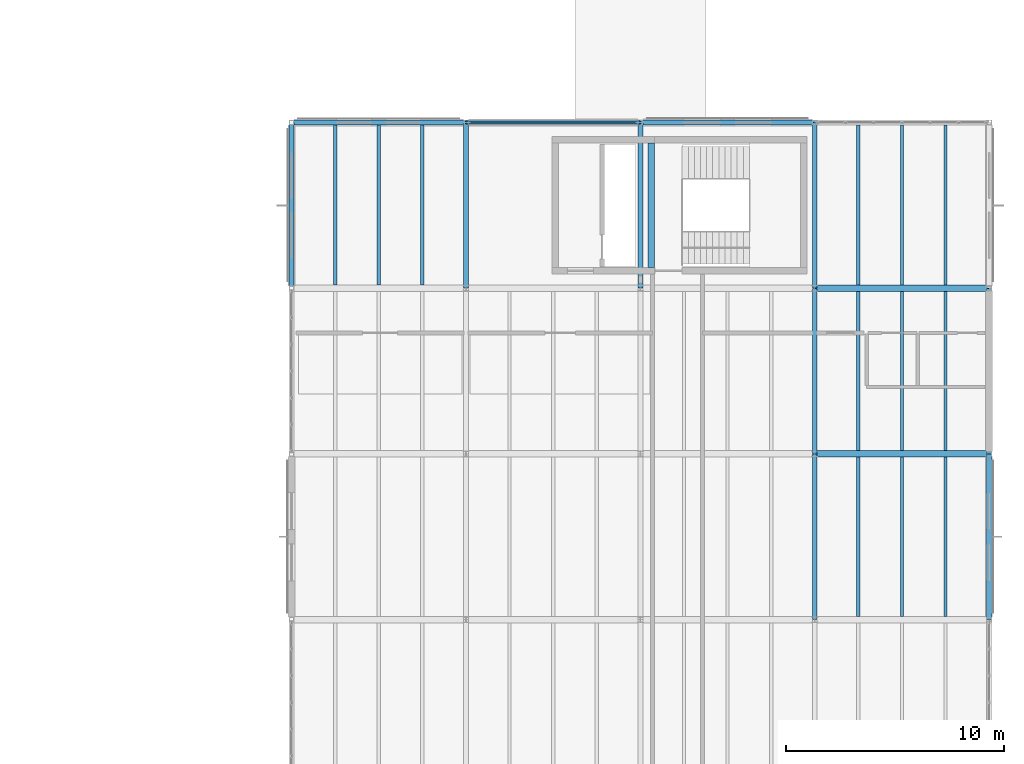
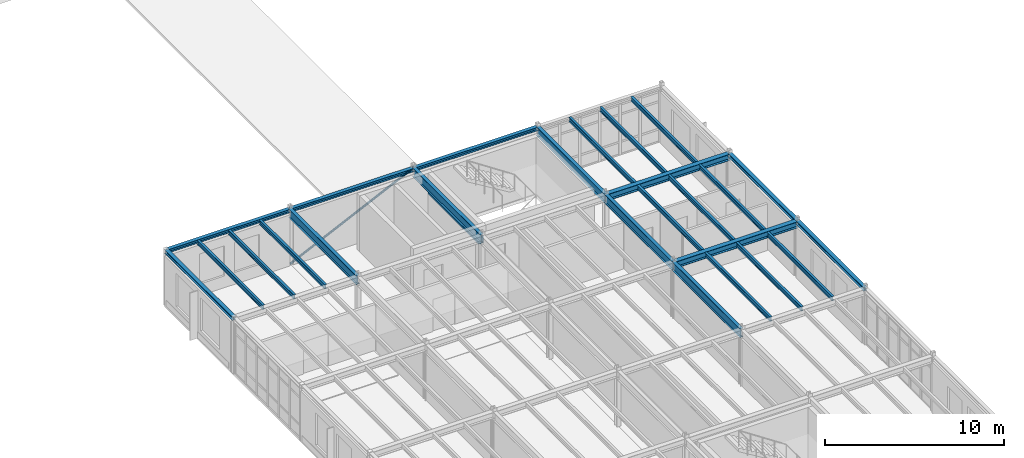
# One storey, part 62 of 114: 26 beams, 1 member.
"""IFC4 building model written with IfcOpenShell, lengths in metres."""

from ifc_helpers import new_model, si_unit, direction, frame, origin, origin_2d, place, context, subcontext, project, spatial, rectangle, hollow_circle, i_section, extrude, material, material_profile, profile_set, type_object, element, save


model = new_model("IFC4")

# Units and contexts
model_context = context("Model", 3, precision=1e-05, world=origin(), true_north=direction((0.0, 1.0)))
body_context = subcontext(model_context, "Body", "Model", "MODEL_VIEW")
ifc_project = project(units=[si_unit("LENGTHUNIT", "METRE"), si_unit("AREAUNIT", "SQUARE_METRE"), si_unit("VOLUMEUNIT", "CUBIC_METRE"), si_unit("PLANEANGLEUNIT", "RADIAN"), si_unit("MASSUNIT", "GRAM", prefix="KILO")], contexts=[model_context])

# Site, building, storey
site_placement = place(None, origin())
site = spatial("IfcSite", under=ifc_project, at=site_placement, CompositionType="ELEMENT")
building_placement = place(site_placement, origin())
building = spatial("IfcBuilding", under=site, at=building_placement, Name="Montecoro Central Library", CompositionType="ELEMENT")
storey_placement = place(building_placement, frame((0.0, 0.0, 13.260009765625)))
storey = spatial("IfcBuildingStorey", under=building, at=storey_placement, Name="L03", CompositionType="ELEMENT", Elevation=13.260009765625)

# Beams
ifc_material_1 = material(Name="Steel S355J2", Category="steel")
ifc_material_profile_1 = material_profile(ifc_material_1, i_section(OverallWidth=0.300048828125, OverallDepth=0.43994140625, WebThickness=0.011474609375, FlangeThickness=0.02099609375, at=origin_2d()), Name="HEA 450")
ifc_profile_set_1 = profile_set([ifc_material_profile_1], Name="Steel S355J2")
beam_type_1 = type_object("IfcBeamType", Name="BM-G-HEA450", PredefinedType="USERDEFINED", material=ifc_profile_set_1)
for number, where, z_axis, x_axis, name in (
    (1, (165.0048828125, 27.800048828125, 3.60498046875), (1.0, 0.0, 0.0), (0.0, 1.0, 0.0), "V6-L03-BX-2122-D"),
    (2, (165.0048828125, 35.39990234375, 3.60498046875), (1.0, 0.0, 0.0), (0.0, 1.0, 0.0), "V6-L03-BX-2122-E"),
):
    element("IfcBeam", number, at=place(storey_placement, frame(where, z_axis=z_axis, x_axis=x_axis)), inside=storey, type_object=beam_type_1, Name=name, ObjectType="GIRDER", PredefinedType="USERDEFINED", context=body_context, shape_type="SweptSolid", body=[
        extrude(i_section(OverallWidth=0.300048828125, OverallDepth=0.43994140625, WebThickness=0.011474609375, FlangeThickness=0.02099609375, at=origin_2d()), origin(), (0.0, 0.0, 1.0), 7.990234375),
    ])
ifc_material_profile_2 = material_profile(ifc_material_1, i_section(OverallWidth=0.219970703125, OverallDepth=0.60009765625, WebThickness=0.011962890625, FlangeThickness=0.01904296875, at=origin_2d()), Name="IPE 600")
ifc_profile_set_2 = profile_set([ifc_material_profile_2], Name="Steel S355J2")
beam_type_2 = type_object("IfcBeamType", Name="BM-G-IPE600", PredefinedType="USERDEFINED", material=ifc_profile_set_2)
for number, where, z_axis, x_axis, name in (
    (3, (149.0, 35.405029296875, 3.52490234375), (0.0, 1.0, 0.0), (-1.0, 0.0, 0.0), "V6-L03-BY-19-EF"),
    (4, (157.0, 35.405029296875, 3.52490234375), (0.0, 1.0, 0.0), (-1.0, 0.0, 0.0), "V6-L03-BY-20-EF"),
):
    element("IfcBeam", number, at=place(storey_placement, frame(where, z_axis=z_axis, x_axis=x_axis)), inside=storey, type_object=beam_type_2, Name=name, ObjectType="GIRDER", PredefinedType="USERDEFINED", context=body_context, shape_type="SweptSolid", body=[
        extrude(i_section(OverallWidth=0.219970703125, OverallDepth=0.60009765625, WebThickness=0.011962890625, FlangeThickness=0.01904296875, at=origin_2d()), origin(), (0.0, 0.0, 1.0), 7.590087890625),
    ])
beam_1_placement = place(storey_placement, frame((165.0, 20.205078125, 3.52490234375), z_axis=(0.0, 1.0, 0.0), x_axis=(-1.0, 0.0, 0.0)))
element("IfcBeam", 5, at=beam_1_placement, inside=storey, type_object=beam_type_2, Name="V6-L03-BY-21-CD", ObjectType="GIRDER", PredefinedType="USERDEFINED", context=body_context, shape_type="SweptSolid", body=[
    extrude(i_section(OverallWidth=0.219970703125, OverallDepth=0.60009765625, WebThickness=0.011962890625, FlangeThickness=0.01904296875, at=origin_2d()), origin(), (0.0, 0.0, 1.0), 7.58984375),
])
for number, where, z_axis, x_axis, name in (
    (6, (165.0, 27.804931640625, 3.52490234375), (0.0, 1.0, 0.0), (-1.0, 0.0, 0.0), "V6-L03-BY-21-DE"),
    (7, (165.0, 35.405029296875, 3.52490234375), (0.0, 1.0, 0.0), (-1.0, 0.0, 0.0), "V6-L03-BY-21-EF"),
):
    element("IfcBeam", number, at=place(storey_placement, frame(where, z_axis=z_axis, x_axis=x_axis)), inside=storey, type_object=beam_type_2, Name=name, ObjectType="GIRDER", PredefinedType="USERDEFINED", context=body_context, shape_type="SweptSolid", body=[
        extrude(i_section(OverallWidth=0.219970703125, OverallDepth=0.60009765625, WebThickness=0.011962890625, FlangeThickness=0.01904296875, at=origin_2d()), origin(), (0.0, 0.0, 1.0), 7.590087890625),
    ])
ifc_material_2 = material(Name="Steel S355", Category="steel")
ifc_material_profile_3 = material_profile(ifc_material_2, i_section(OverallWidth=0.14990234375, OverallDepth=0.300048828125, WebThickness=0.007080078125, FlangeThickness=0.0107421875, at=origin_2d()), Name="IPE 300")
ifc_profile_set_3 = profile_set([ifc_material_profile_3], Name="Steel S355")
beam_type_3 = type_object("IfcBeamType", Name="BM-J-IPE300", PredefinedType="JOIST", material=ifc_profile_set_3)
for number, where, z_axis, x_axis, name in (
    (8, (143.0, 35.547119140625, 3.675048828125), (0.0, 1.0, 0.0), (-1.0, 0.0, 0.0), "V6-L03-JS-1819-EF-1"),
    (9, (145.0, 35.547119140625, 3.675048828125), (0.0, 1.0, 0.0), (-1.0, 0.0, 0.0), "V6-L03-JS-1819-EF-2"),
    (10, (147.0, 35.547119140625, 3.675048828125), (0.0, 1.0, 0.0), (-1.0, 0.0, 0.0), "V6-L03-JS-1819-EF-3"),
):
    element("IfcBeam", number, at=place(storey_placement, frame(where, z_axis=z_axis, x_axis=x_axis)), inside=storey, type_object=beam_type_3, Name=name, PredefinedType="JOIST", context=body_context, shape_type="SweptSolid", body=[
        extrude(i_section(OverallWidth=0.14990234375, OverallDepth=0.300048828125, WebThickness=0.007080078125, FlangeThickness=0.0107421875, at=origin_2d()), origin(), (0.0, 0.0, 1.0), 7.3359375),
    ])
for number, where, z_axis, x_axis, name in (
    (11, (167.0, 20.346923828125, 3.675048828125), (0.0, 1.0, 0.0), (-1.0, 0.0, 0.0), "V6-L03-JS-2122-CD-1"),
    (12, (169.0, 20.346923828125, 3.675048828125), (0.0, 1.0, 0.0), (-1.0, 0.0, 0.0), "V6-L03-JS-2122-CD-2"),
    (13, (171.0, 20.346923828125, 3.675048828125), (0.0, 1.0, 0.0), (-1.0, 0.0, 0.0), "V6-L03-JS-2122-CD-3"),
):
    element("IfcBeam", number, at=place(storey_placement, frame(where, z_axis=z_axis, x_axis=x_axis)), inside=storey, type_object=beam_type_3, Name=name, PredefinedType="JOIST", context=body_context, shape_type="SweptSolid", body=[
        extrude(i_section(OverallWidth=0.14990234375, OverallDepth=0.300048828125, WebThickness=0.007080078125, FlangeThickness=0.0107421875, at=origin_2d()), origin(), (0.0, 0.0, 1.0), 7.30615234375),
    ])
for number, where, z_axis, x_axis, name in (
    (14, (167.0, 27.947021484375, 3.675048828125), (0.0, 1.0, 0.0), (-1.0, 0.0, 0.0), "V6-L03-JS-2122-DE-1"),
    (15, (169.0, 27.947021484375, 3.675048828125), (0.0, 1.0, 0.0), (-1.0, 0.0, 0.0), "V6-L03-JS-2122-DE-2"),
    (16, (171.0, 27.947021484375, 3.675048828125), (0.0, 1.0, 0.0), (-1.0, 0.0, 0.0), "V6-L03-JS-2122-DE-3"),
):
    element("IfcBeam", number, at=place(storey_placement, frame(where, z_axis=z_axis, x_axis=x_axis)), inside=storey, type_object=beam_type_3, Name=name, PredefinedType="JOIST", context=body_context, shape_type="SweptSolid", body=[
        extrude(i_section(OverallWidth=0.14990234375, OverallDepth=0.300048828125, WebThickness=0.007080078125, FlangeThickness=0.0107421875, at=origin_2d()), origin(), (0.0, 0.0, 1.0), 7.305908203125),
    ])
for number, where, z_axis, x_axis, name in (
    (17, (167.0, 35.547119140625, 3.675048828125), (0.0, 1.0, 0.0), (-1.0, 0.0, 0.0), "V6-L03-JS-2122-EF-1"),
    (18, (169.0, 35.547119140625, 3.675048828125), (0.0, 1.0, 0.0), (-1.0, 0.0, 0.0), "V6-L03-JS-2122-EF-2"),
    (19, (171.0, 35.547119140625, 3.675048828125), (0.0, 1.0, 0.0), (-1.0, 0.0, 0.0), "V6-L03-JS-2122-EF-3"),
):
    element("IfcBeam", number, at=place(storey_placement, frame(where, z_axis=z_axis, x_axis=x_axis)), inside=storey, type_object=beam_type_3, Name=name, PredefinedType="JOIST", context=body_context, shape_type="SweptSolid", body=[
        extrude(i_section(OverallWidth=0.14990234375, OverallDepth=0.300048828125, WebThickness=0.007080078125, FlangeThickness=0.0107421875, at=origin_2d()), origin(), (0.0, 0.0, 1.0), 7.3359375),
    ])
ifc_material_3 = material(Name="Concrete C35/45", Category="concrete")
ifc_material_profile_4 = material_profile(ifc_material_3, rectangle(XDim=0.300048828125, YDim=0.449951171875, at=origin_2d()), Name="RC LNT 450x300")
ifc_profile_set_4 = profile_set([ifc_material_profile_4], Name="Concrete C35/45")
beam_type_4 = type_object("IfcBeamType", Name="BM-LN-RC02", PredefinedType="LINTEL", material=ifc_profile_set_4)
beam_2_placement = place(storey_placement, frame((157.5, 36.35009765625, 2.675048828125), z_axis=(0.0, 1.0, 0.0), x_axis=(-1.0, 0.0, 0.0)))
element("IfcBeam", 20, at=beam_2_placement, inside=storey, type_object=beam_type_4, Name="C7-L03-LNT", PredefinedType="LINTEL", context=body_context, shape_type="SweptSolid", body=[
    extrude(rectangle(XDim=0.300048828125, YDim=0.449951171875, at=origin_2d()), origin(), (0.0, 0.0, 1.0), 5.699951171875),
])
ifc_material_profile_5 = material_profile(ifc_material_2, i_section(OverallWidth=0.239990234375, OverallDepth=0.22998046875, WebThickness=0.007568359375, FlangeThickness=0.011962890625, at=origin_2d()), Name="HEA 240")
ifc_profile_set_5 = profile_set([ifc_material_profile_5], Name="Steel S355")
beam_type_5 = type_object("IfcBeamType", Name="BM-SP-HEA240", PredefinedType="SPANDREL", material=ifc_profile_set_5)
for number, where, z_axis, x_axis, name in (
    (21, (141.0048828125, 43.0, 3.7099609375), (1.0, 0.0, 0.0), (0.0, 1.0, 0.0), "V6-L03-BX-1819-F"),
    (22, (149.0048828125, 43.0, 3.7099609375), (1.0, 0.0, 0.0), (0.0, 1.0, 0.0), "V6-L03-BX-1920-F"),
    (23, (157.0048828125, 43.0, 3.7099609375), (1.0, 0.0, 0.0), (0.0, 1.0, 0.0), "V6-L03-BX-2021-F"),
):
    element("IfcBeam", number, at=place(storey_placement, frame(where, z_axis=z_axis, x_axis=x_axis)), inside=storey, type_object=beam_type_5, Name=name, PredefinedType="SPANDREL", context=body_context, shape_type="SweptSolid", body=[
        extrude(i_section(OverallWidth=0.239990234375, OverallDepth=0.22998046875, WebThickness=0.007568359375, FlangeThickness=0.011962890625, at=origin_2d()), origin(), (0.0, 0.0, 1.0), 7.990234375),
    ])
beam_3_placement = place(storey_placement, frame((141.0, 35.405029296875, 3.7099609375), z_axis=(0.0, 1.0, 0.0), x_axis=(-1.0, 0.0, 0.0)))
element("IfcBeam", 24, at=beam_3_placement, inside=storey, type_object=beam_type_5, Name="V6-L03-BY-18-EF", PredefinedType="SPANDREL", context=body_context, shape_type="SweptSolid", body=[
    extrude(i_section(OverallWidth=0.239990234375, OverallDepth=0.22998046875, WebThickness=0.007568359375, FlangeThickness=0.011962890625, at=origin_2d()), origin(), (0.0, 0.0, 1.0), 7.590087890625),
])
beam_4_placement = place(storey_placement, frame((173.0, 20.205078125, 3.7099609375), z_axis=(0.0, 1.0, 0.0), x_axis=(-1.0, 0.0, 0.0)))
element("IfcBeam", 25, at=beam_4_placement, inside=storey, type_object=beam_type_5, Name="V6-L03-BY-22-CD", PredefinedType="SPANDREL", context=body_context, shape_type="SweptSolid", body=[
    extrude(i_section(OverallWidth=0.239990234375, OverallDepth=0.22998046875, WebThickness=0.007568359375, FlangeThickness=0.011962890625, at=origin_2d()), origin(), (0.0, 0.0, 1.0), 7.58984375),
])
beam_5_placement = place(storey_placement, frame((173.0, 27.804931640625, 3.7099609375), z_axis=(0.0, 1.0, 0.0), x_axis=(-1.0, 0.0, 0.0)))
element("IfcBeam", 26, at=beam_5_placement, inside=storey, type_object=beam_type_5, Name="V6-L03-BY-22-DE", PredefinedType="SPANDREL", context=body_context, shape_type="SweptSolid", body=[
    extrude(i_section(OverallWidth=0.239990234375, OverallDepth=0.22998046875, WebThickness=0.007568359375, FlangeThickness=0.011962890625, at=origin_2d()), origin(), (0.0, 0.0, 1.0), 7.590087890625),
])

# Member
ifc_material_profile_6 = material_profile(ifc_material_2, hollow_circle(Radius=0.06982421875, WallThickness=0.00634765625, at=origin_2d()), Name="CHS 139.7x6.3")
ifc_profile_set_6 = profile_set([ifc_material_profile_6], Name="Steel S355")
member_type = type_object("IfcMemberType", Name="MB-BR-CHS140", PredefinedType="BRACE", material=ifc_profile_set_6)
member_placement = place(storey_placement, frame((149.0, 43.0, 0.010009765625), z_axis=(0.903499651379, 0.0, 0.428588823884), x_axis=(0.0, 1.0, 0.0)))
element("IfcMember", 27, at=member_placement, inside=storey, type_object=member_type, Name="V6-L03-BRN1", PredefinedType="BRACE", context=body_context, shape_type="SweptSolid", body=[
    extrude(hollow_circle(Radius=0.06982421875, WallThickness=0.00634765625, at=origin_2d()), origin(), (0.0, 0.0, 1.0), 8.8544921875),
])

save(model, "model.ifc")
